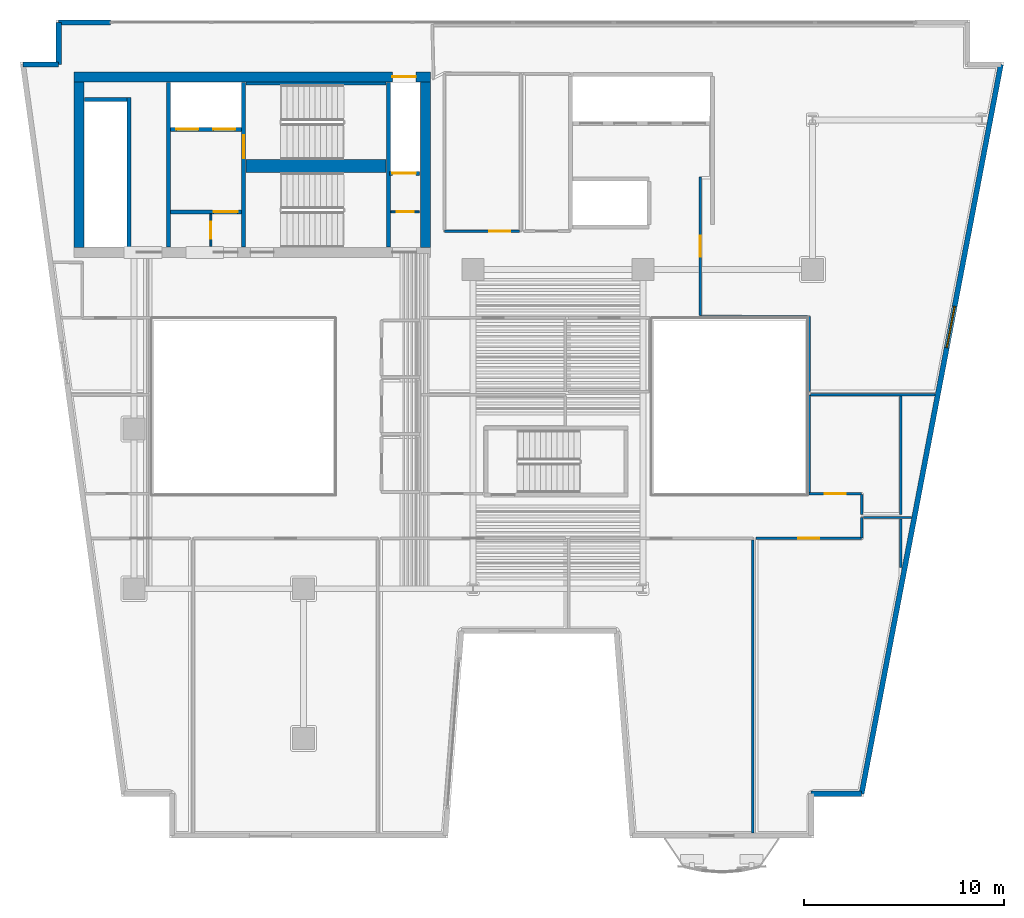
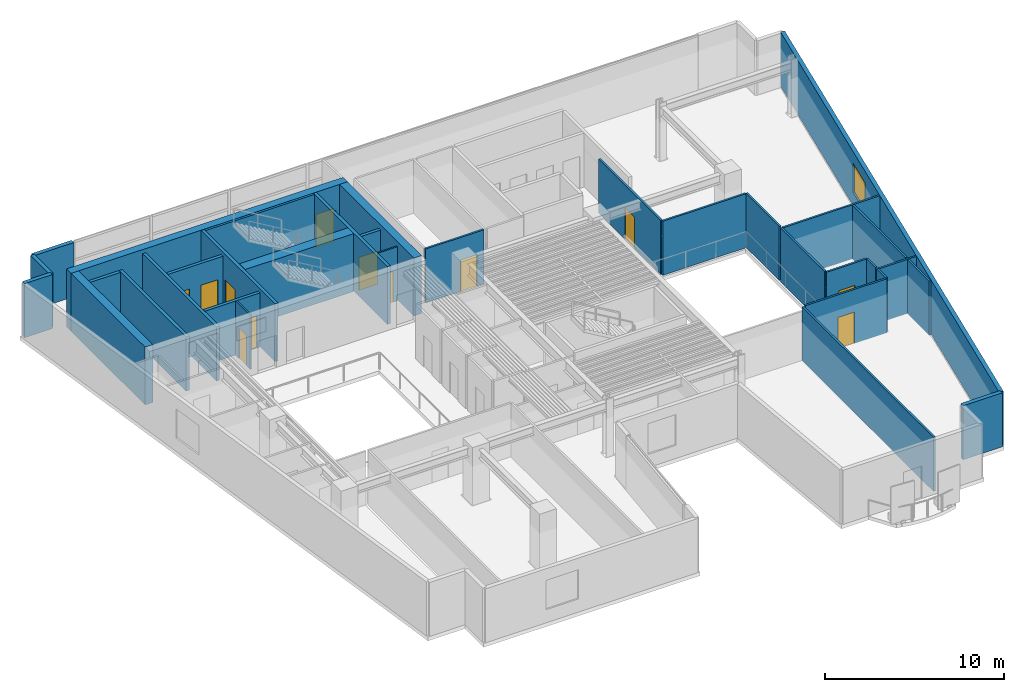
# One storey, part 7 of 13: 34 walls, 12 doors, 1 window, 13 openings.
"""IFC4 building model written with IfcOpenShell, lengths in metres."""

from ifc_helpers import new_model, si_unit, direction, frame, frame_2d, origin, place, context, subcontext, project, spatial, rectangle, extrude, material, layer, layer_set, type_object, element, fill, save


model = new_model("IFC4")

# Units and contexts
model_context = context("Model", 3, precision=1e-05, world=origin(), true_north=direction((0.0, 1.0)))
body_context = subcontext(model_context, "Body", "Model", "MODEL_VIEW")
ifc_project = project(units=[si_unit("LENGTHUNIT", "METRE"), si_unit("AREAUNIT", "SQUARE_METRE"), si_unit("VOLUMEUNIT", "CUBIC_METRE"), si_unit("PLANEANGLEUNIT", "RADIAN"), si_unit("MASSUNIT", "GRAM", prefix="KILO")], contexts=[model_context])

# Site, building, storey
site_placement = place(None, origin())
site = spatial("IfcSite", under=ifc_project, at=site_placement, CompositionType="ELEMENT")
building_placement = place(site_placement, origin())
building = spatial("IfcBuilding", under=site, at=building_placement, Name="Caeloran Harvest Quay", CompositionType="ELEMENT")
storey_placement = place(building_placement, frame((0.0, 0.0, 158.800048828125)))
storey = spatial("IfcBuildingStorey", under=building, at=storey_placement, Name="L37", CompositionType="ELEMENT", Elevation=158.800048828125)

# Walls
ifc_material_1 = material(Name="Precast concrete C50/60", Category="concrete")
ifc_layer_1 = layer(ifc_material_1, 0.260009765625, Name="Precast concrete C50/60")
ifc_layer_set_1 = layer_set([ifc_layer_1], Name="Precast concrete C50/60")
wall_type_1 = type_object("IfcWallType", Name="ENV-WALL-EW-260", PredefinedType="STANDARD", material=ifc_layer_set_1)
wall_1_placement = place(storey_placement, frame((2.939697265625, 41.27001953125, 0.0), z_axis=(0.0, 0.0, 1.0), x_axis=(1.0, 0.0, 0.0)))
element("IfcWall", 1, at=wall_1_placement, inside=storey, type_object=wall_type_1, Name="L37 Exterior Precast Concrete Facade Wall 4", PredefinedType="STANDARD", context=body_context, shape_type="SweptSolid", body=[
    extrude(rectangle(XDim=1.790283203125, YDim=0.260009765625, at=frame_2d((0.89501953125, 0.0))), origin(), (0.0, 0.0, 1.0), 3.68994140625),
])
wall_2_placement = place(storey_placement, frame((4.72998046875, 41.27001953125, 0.0), z_axis=(0.0, 0.0, 1.0), x_axis=(0.0, 1.0, 0.0)))
element("IfcWall", 2, at=wall_2_placement, inside=storey, type_object=wall_type_1, Name="L37 Exterior Precast Concrete Facade Wall 5", PredefinedType="STANDARD", context=body_context, shape_type="SweptSolid", body=[
    extrude(rectangle(XDim=2.10009765625, YDim=0.260009765625, at=frame_2d((1.050048828125, 0.0))), origin(), (0.0, 0.0, 1.0), 3.68994140625),
])
wall_3_placement = place(storey_placement, frame((4.72998046875, 43.3701171875, 0.0), z_axis=(0.0, 0.0, 1.0), x_axis=(1.0, 0.0, 0.0)))
element("IfcWall", 3, at=wall_3_placement, inside=storey, type_object=wall_type_1, Name="L37 Exterior Facade Corner Pier Wall 6A", PredefinedType="STANDARD", context=body_context, shape_type="SweptSolid", body=[
    extrude(rectangle(XDim=2.60009765625, YDim=0.260009765625, at=frame_2d((1.300048828125, 0.0))), origin(), (0.0, 0.0, 1.0), 3.68994140625),
])

# Wall, opening, window
wall_4_placement = place(storey_placement, frame((51.94189453125, 41.27001953125, 0.0), z_axis=(0.0, 0.0, 1.0), x_axis=(-0.187592192405, -0.982247000173, 0.0)))
wall_4 = element("IfcWall", 4, at=wall_4_placement, inside=storey, type_object=wall_type_1, Name="L37 Exterior Precast Concrete Facade Wall 9", PredefinedType="STANDARD", context=body_context, shape_type="SweptSolid", body=[
    extrude(rectangle(XDim=37.200439453125, YDim=0.260009765625, at=frame_2d((18.60009765625, 0.0))), origin(), (0.0, 0.0, 1.0), 3.68994140625),
])
opening_1_placement = place(wall_4_placement, frame((12.342041015625, 0.0, 0.89990234375)))
opening_1 = element("IfcOpeningElement", 5, at=opening_1_placement, cuts=wall_4, Name="Opening W-06", PredefinedType="OPENING", context=body_context, shape_type="SweptSolid", body=[
    extrude(rectangle(XDim=2.10009765625, YDim=2.0, at=frame_2d((1.050048828125, 1.0))), frame((0.0, 0.14013671875, 0.0), z_axis=(0.0, -1.0, 0.0), x_axis=(1.0, 0.0, 0.0)), (0.0, 0.0, 1.0), 0.280029296875),
])
ifc_material_2 = material(Name="Aluminium-Framed Low-E Laminated Glass", Category="aluminium")
window_type = type_object("IfcWindowType", Name="WIN-W-06", PartitioningType="DOUBLE_PANEL_VERTICAL", PredefinedType="WINDOW", material=ifc_material_2)
window_placement = place(opening_1_placement, origin())
window = element("IfcWindow", 6, at=window_placement, inside=storey, type_object=window_type, Name="L37 Facade Punched Window W-06", OverallHeight=2.0, OverallWidth=2.10009765625, PartitioningType="DOUBLE_PANEL_VERTICAL", PredefinedType="WINDOW", context=body_context, shape_type="SweptSolid", body=[
    extrude(rectangle(XDim=2.10009765625, YDim=2.0, at=frame_2d((1.050048828125, 1.0))), frame((0.0, 0.030029296875, 0.0), z_axis=(0.0, -1.0, 0.0), x_axis=(1.0, 0.0, 0.0)), (0.0, 0.0, 1.0), 0.06005859375),
])
fill(opening_1, window)

# Wall
wall_5_placement = place(storey_placement, frame((44.96337890625, 4.72998046875, 0.0), z_axis=(0.0, 0.0, 1.0), x_axis=(-1.0, 0.0, 0.0)))
element("IfcWall", 7, at=wall_5_placement, inside=storey, type_object=wall_type_1, Name="L37 Exterior Precast Concrete Facade Wall 10", PredefinedType="STANDARD", context=body_context, shape_type="SweptSolid", body=[
    extrude(rectangle(XDim=2.5234375, YDim=0.260009765625, at=frame_2d((1.26171875, 0.0))), origin(), (0.0, 0.0, 1.0), 3.68994140625),
])

# Wall, opening, door
ifc_material_3 = material(Name="Fire-Resisting Gypsum Core Riser Partition", Category="gypsum")
ifc_layer_2 = layer(ifc_material_3, 0.10009765625, Name="Fire-Resisting Gypsum Core Riser Partition")
ifc_layer_set_2 = layer_set([ifc_layer_2], Name="Fire-Resisting Gypsum Core Riser Partition")
wall_type_2 = type_object("IfcWallType", Name="INT-WALL-PW-100", PredefinedType="PARTITIONING", material=ifc_layer_set_2)
wall_6_placement = place(storey_placement, frame((12.360107421875, 32.159912109375, 0.0), z_axis=(0.0, 0.0, 1.0), x_axis=(0.0, 1.0, 0.0)))
wall_6 = element("IfcWall", 8, at=wall_6_placement, inside=storey, type_object=wall_type_2, Name="L37 Core Store Partition Wall", PredefinedType="PARTITIONING", context=body_context, shape_type="SweptSolid", body=[
    extrude(rectangle(XDim=1.6201171875, YDim=0.10009765625, at=frame_2d((0.81005859375, 0.0))), origin(), (0.0, 0.0, 1.0), 3.68994140625),
])
opening_2_placement = place(wall_6_placement, frame((0.3798828125, 0.0, 0.0)))
opening_2 = element("IfcOpeningElement", 9, at=opening_2_placement, cuts=wall_6, Name="Opening SV-01", PredefinedType="OPENING", context=body_context, shape_type="SweptSolid", body=[
    extrude(rectangle(XDim=0.85009765625, YDim=2.10009765625, at=frame_2d((0.425048828125, 1.050048828125))), frame((0.0, 0.06005859375, 0.0), z_axis=(0.0, -1.0, 0.0), x_axis=(1.0, 0.0, 0.0)), (0.0, 0.0, 1.0), 0.1201171875),
])
ifc_material_4 = material(Name="Galvanized Painted Steel", Category="steel")
door_type_1 = type_object("IfcDoorType", Name="INTDOOR-SV-01", OperationType="NOTDEFINED", PredefinedType="DOOR", material=ifc_material_4)
door_1_placement = place(opening_2_placement, origin())
door_1 = element("IfcDoor", 10, at=door_1_placement, inside=storey, type_object=door_type_1, Name="L37 Core Service Room Access Door", OperationType="SINGLE_SWING_LEFT", OverallHeight=2.10009765625, OverallWidth=0.85009765625, PredefinedType="DOOR", context=body_context, shape_type="SweptSolid", body=[
    extrude(rectangle(XDim=0.85009765625, YDim=2.10009765625, at=frame_2d((0.425048828125, 1.050048828125))), frame((0.0, 0.02490234375, 0.0), z_axis=(0.0, -1.0, 0.0), x_axis=(1.0, 0.0, 0.0)), (0.0, 0.0, 1.0), 0.050048828125),
])
fill(opening_2, door_1)

wall_7_placement = place(storey_placement, frame((21.3798828125, 33.889892578125, 0.0), z_axis=(0.0, 0.0, 1.0), x_axis=(1.0, 0.0, 0.0)))
wall_7 = element("IfcWall", 11, at=wall_7_placement, inside=storey, type_object=wall_type_2, Name="L37 Cleaner Store Partition Wall", PredefinedType="PARTITIONING", context=body_context, shape_type="SweptSolid", body=[
    extrude(rectangle(XDim=1.420166015625, YDim=0.10009765625, at=frame_2d((0.7099609375, 0.0))), origin(), (0.0, 0.0, 1.0), 3.68994140625),
])
opening_3_placement = place(wall_7_placement, frame((0.280029296875, 0.0, 0.0)))
opening_3 = element("IfcOpeningElement", 12, at=opening_3_placement, cuts=wall_7, Name="Opening SV-01", PredefinedType="OPENING", context=body_context, shape_type="SweptSolid", body=[
    extrude(rectangle(XDim=0.85009765625, YDim=2.10009765625, at=frame_2d((0.425048828125, 1.050048828125))), frame((0.0, 0.06005859375, 0.0), z_axis=(0.0, -1.0, 0.0), x_axis=(1.0, 0.0, 0.0)), (0.0, 0.0, 1.0), 0.1201171875),
])
door_2_placement = place(opening_3_placement, origin())
door_2 = element("IfcDoor", 13, at=door_2_placement, inside=storey, type_object=door_type_1, Name="L37 Cleaner Supply Store Access Door", OperationType="SINGLE_SWING_RIGHT", OverallHeight=2.10009765625, OverallWidth=0.85009765625, PredefinedType="DOOR", context=body_context, shape_type="SweptSolid", body=[
    extrude(rectangle(XDim=0.85009765625, YDim=2.10009765625, at=frame_2d((0.425048828125, 1.050048828125))), frame((0.0, 0.02490234375, 0.0), z_axis=(0.0, -1.0, 0.0), x_axis=(1.0, 0.0, 0.0)), (0.0, 0.0, 1.0), 0.050048828125),
])
fill(opening_3, door_2)

ifc_material_5 = material(Name="Twin-Stud Mineral-Wool Acoustic Gypsum Partition", Category="gypsum")
ifc_layer_3 = layer(ifc_material_5, 0.125, Name="Twin-Stud Mineral-Wool Acoustic Gypsum Partition")
ifc_layer_set_3 = layer_set([ifc_layer_3], Name="Twin-Stud Mineral-Wool Acoustic Gypsum Partition")
wall_type_3 = type_object("IfcWallType", Name="INT-WALL-PW-125", PredefinedType="PARTITIONING", material=ifc_layer_set_3)
wall_8_placement = place(storey_placement, frame((27.8125, 32.919921875, 0.0), z_axis=(0.0, 0.0, 1.0), x_axis=(-1.0, 0.0, 0.0)))
wall_8 = element("IfcWall", 14, at=wall_8_placement, inside=storey, type_object=wall_type_3, Name="L37 Crop Phenotyping West Laboratory Partition Wall", PredefinedType="PARTITIONING", context=body_context, shape_type="SweptSolid", body=[
    extrude(rectangle(XDim=3.762451171875, YDim=0.125, at=frame_2d((1.88134765625, 0.0))), origin(), (0.0, 0.0, 1.0), 3.68994140625),
])
opening_4_placement = place(wall_8_placement, frame((0.466064453125, 0.0, 0.0)))
opening_4 = element("IfcOpeningElement", 15, at=opening_4_placement, cuts=wall_8, Name="Opening ID-03", PredefinedType="OPENING", context=body_context, shape_type="SweptSolid", body=[
    extrude(rectangle(XDim=1.050048828125, YDim=2.14990234375, at=frame_2d((0.52490234375, 1.074951171875))), frame((0.0, 0.072509765625, 0.0), z_axis=(0.0, -1.0, 0.0), x_axis=(1.0, 0.0, 0.0)), (0.0, 0.0, 1.0), 0.14501953125),
])
ifc_material_6 = material(Name="FSC Solid-Core Oak Timber Leaf", Category="wood")
door_type_2 = type_object("IfcDoorType", Name="INTDOOR-ID-03", OperationType="NOTDEFINED", PredefinedType="DOOR", material=ifc_material_6)
door_3_placement = place(opening_4_placement, origin())
door_3 = element("IfcDoor", 16, at=door_3_placement, inside=storey, type_object=door_type_2, Name="L37 Crop Phenotyping West Laboratory Access Door", OperationType="SINGLE_SWING_RIGHT", OverallHeight=2.14990234375, OverallWidth=1.050048828125, PredefinedType="DOOR", context=body_context, shape_type="SweptSolid", body=[
    extrude(rectangle(XDim=1.050048828125, YDim=2.14990234375, at=frame_2d((0.52490234375, 1.074951171875))), frame((0.0, 0.02490234375, 0.0), z_axis=(0.0, -1.0, 0.0), x_axis=(1.0, 0.0, 0.0)), (0.0, 0.0, 1.0), 0.050048828125),
])
fill(opening_4, door_3)

# Walls
wall_9_placement = place(storey_placement, frame((39.52001953125, 17.452392578125, 0.0), z_axis=(0.0, 0.0, 1.0), x_axis=(0.0, -1.0, 0.0)))
element("IfcWall", 17, at=wall_9_placement, inside=storey, type_object=wall_type_3, Name="Carbon Credit Seminar Room Partition Wall", PredefinedType="PARTITIONING", context=body_context, shape_type="SweptSolid", body=[
    extrude(rectangle(XDim=14.6875, YDim=0.125, at=frame_2d((7.34375, 0.0))), origin(), (0.0, 0.0, 1.0), 3.68994140625),
])
wall_10_placement = place(storey_placement, frame((44.97998046875, 17.550048828125, 0.0), z_axis=(0.0, 0.0, 1.0), x_axis=(0.0, 1.0, 0.0)))
element("IfcWall", 18, at=wall_10_placement, inside=storey, type_object=wall_type_3, Name="Commodities Briefing Boardroom Partition Wall", PredefinedType="PARTITIONING", context=body_context, shape_type="SweptSolid", body=[
    extrude(rectangle(XDim=1.02001953125, YDim=0.125, at=frame_2d((0.510009765625, 0.0))), origin(), (0.0, 0.0, 1.0), 3.68994140625),
])
wall_11_placement = place(storey_placement, frame((45.047607421875, 18.570068359375, 0.0), z_axis=(0.0, 0.0, 1.0), x_axis=(1.0, 0.0, 0.0)))
element("IfcWall", 19, at=wall_11_placement, inside=storey, type_object=wall_type_3, Name="Commodities Briefing Boardroom Partition Wall", PredefinedType="PARTITIONING", context=body_context, shape_type="SweptSolid", body=[
    extrude(rectangle(XDim=2.421630859375, YDim=0.125, at=frame_2d((1.2109375, 0.0))), origin(), (0.0, 0.0, 1.0), 3.68994140625),
])
wall_12_placement = place(storey_placement, frame((46.919921875, 18.50244140625, 0.0), z_axis=(0.0, 0.0, 1.0), x_axis=(0.0, -1.0, 0.0)))
element("IfcWall", 20, at=wall_12_placement, inside=storey, type_object=wall_type_3, Name="Commodities Briefing Boardroom Partition Wall", PredefinedType="PARTITIONING", context=body_context, shape_type="SweptSolid", body=[
    extrude(rectangle(XDim=2.4375, YDim=0.125, at=frame_2d((1.21875, 0.0))), origin(), (0.0, 0.0, 1.0), 3.68994140625),
])

# Wall, opening, door
wall_13_placement = place(storey_placement, frame((39.679931640625, 17.52001953125, 0.0), z_axis=(0.0, 0.0, 1.0), x_axis=(1.0, 0.0, 0.0)))
wall_13 = element("IfcWall", 21, at=wall_13_placement, inside=storey, type_object=wall_type_3, Name="Commodities Briefing Boardroom Partition Wall", PredefinedType="PARTITIONING", context=body_context, shape_type="SweptSolid", body=[
    extrude(rectangle(XDim=5.27001953125, YDim=0.125, at=frame_2d((2.635009765625, 0.0))), origin(), (0.0, 0.0, 1.0), 3.68994140625),
])
opening_5_placement = place(wall_13_placement, frame((2.110107421875, 0.0, 0.0)))
opening_5 = element("IfcOpeningElement", 22, at=opening_5_placement, cuts=wall_13, Name="Opening ID-03", PredefinedType="OPENING", context=body_context, shape_type="SweptSolid", body=[
    extrude(rectangle(XDim=1.050048828125, YDim=2.14990234375, at=frame_2d((0.52490234375, 1.074951171875))), frame((0.0, 0.072509765625, 0.0), z_axis=(0.0, -1.0, 0.0), x_axis=(1.0, 0.0, 0.0)), (0.0, 0.0, 1.0), 0.14501953125),
])
door_4_placement = place(opening_5_placement, origin())
door_4 = element("IfcDoor", 23, at=door_4_placement, inside=storey, type_object=door_type_2, Name="Commodities Briefing Boardroom Access Door", OperationType="SINGLE_SWING_LEFT", OverallHeight=2.14990234375, OverallWidth=1.050048828125, PredefinedType="DOOR", context=body_context, shape_type="SweptSolid", body=[
    extrude(rectangle(XDim=1.050048828125, YDim=2.14990234375, at=frame_2d((0.52490234375, 1.074951171875))), frame((0.0, 0.02490234375, 0.0), z_axis=(0.0, -1.0, 0.0), x_axis=(1.0, 0.0, 0.0)), (0.0, 0.0, 1.0), 0.050048828125),
])
fill(opening_5, door_4)

wall_14_placement = place(storey_placement, frame((44.949951171875, 19.75, 0.0), z_axis=(0.0, 0.0, 1.0), x_axis=(-1.0, 0.0, 0.0)))
wall_14 = element("IfcWall", 24, at=wall_14_placement, inside=storey, type_object=wall_type_3, Name="Satellite Archive Library Lounge Partition Wall", PredefinedType="PARTITIONING", context=body_context, shape_type="SweptSolid", body=[
    extrude(rectangle(XDim=2.619873046875, YDim=0.125, at=frame_2d((1.31005859375, 0.0))), origin(), (0.0, 0.0, 1.0), 3.68994140625),
])
opening_6_placement = place(wall_14_placement, frame((0.784912109375, 0.0, 0.0)))
opening_6 = element("IfcOpeningElement", 25, at=opening_6_placement, cuts=wall_14, Name="Opening ID-03", PredefinedType="OPENING", context=body_context, shape_type="SweptSolid", body=[
    extrude(rectangle(XDim=1.050048828125, YDim=2.14990234375, at=frame_2d((0.52490234375, 1.074951171875))), frame((0.0, 0.072509765625, 0.0), z_axis=(0.0, -1.0, 0.0), x_axis=(1.0, 0.0, 0.0)), (0.0, 0.0, 1.0), 0.14501953125),
])
door_5_placement = place(opening_6_placement, origin())
door_5 = element("IfcDoor", 26, at=door_5_placement, inside=storey, type_object=door_type_2, Name="Satellite Archive Library Lounge Access Door", OperationType="SINGLE_SWING_RIGHT", OverallHeight=2.14990234375, OverallWidth=1.050048828125, PredefinedType="DOOR", context=body_context, shape_type="SweptSolid", body=[
    extrude(rectangle(XDim=1.050048828125, YDim=2.14990234375, at=frame_2d((0.52490234375, 1.074951171875))), frame((0.0, 0.02490234375, 0.0), z_axis=(0.0, -1.0, 0.0), x_axis=(1.0, 0.0, 0.0)), (0.0, 0.0, 1.0), 0.050048828125),
])
fill(opening_6, door_5)

# Walls
wall_15_placement = place(storey_placement, frame((42.330078125, 19.8173828125, 0.0), z_axis=(0.0, 0.0, 1.0), x_axis=(0.0, 1.0, 0.0)))
element("IfcWall", 27, at=wall_15_placement, inside=storey, type_object=wall_type_3, Name="Satellite Archive Library Lounge Partition Wall", PredefinedType="PARTITIONING", context=body_context, shape_type="SweptSolid", body=[
    extrude(rectangle(XDim=4.902587890625, YDim=0.125, at=frame_2d((2.451171875, 0.0))), origin(), (0.0, 0.0, 1.0), 3.68994140625),
])
wall_16_placement = place(storey_placement, frame((42.3974609375, 24.719970703125, 0.0), z_axis=(0.0, 0.0, 1.0), x_axis=(1.0, 0.0, 0.0)))
element("IfcWall", 28, at=wall_16_placement, inside=storey, type_object=wall_type_3, Name="Satellite Archive Library Lounge Partition Wall", PredefinedType="PARTITIONING", context=body_context, shape_type="SweptSolid", body=[
    extrude(rectangle(XDim=6.246337890625, YDim=0.125, at=frame_2d((3.123046875, 0.0))), origin(), (0.0, 0.0, 1.0), 3.68994140625),
])
wall_17_placement = place(storey_placement, frame((46.919921875, 24.652587890625, 0.0), z_axis=(0.0, 0.0, 1.0), x_axis=(0.0, -1.0, 0.0)))
element("IfcWall", 29, at=wall_17_placement, inside=storey, type_object=wall_type_3, Name="Satellite Archive Library Lounge Partition Wall", PredefinedType="PARTITIONING", context=body_context, shape_type="SweptSolid", body=[
    extrude(rectangle(XDim=5.922607421875, YDim=0.125, at=frame_2d((2.96142578125, 0.0))), origin(), (0.0, 0.0, 1.0), 3.68994140625),
])
wall_18_placement = place(storey_placement, frame((44.97998046875, 18.72998046875, 0.0), z_axis=(0.0, 0.0, 1.0), x_axis=(0.0, 1.0, 0.0)))
element("IfcWall", 30, at=wall_18_placement, inside=storey, type_object=wall_type_3, Name="Satellite Archive Library Lounge Partition Wall", PredefinedType="PARTITIONING", context=body_context, shape_type="SweptSolid", body=[
    extrude(rectangle(XDim=0.989990234375, YDim=0.125, at=frame_2d((0.4951171875, 0.0))), origin(), (0.0, 0.0, 1.0), 3.68994140625),
])
wall_19_placement = place(storey_placement, frame((42.330078125, 24.8798828125, 0.0), z_axis=(0.0, 0.0, 1.0), x_axis=(0.0, 1.0, 0.0)))
element("IfcWall", 31, at=wall_19_placement, inside=storey, type_object=wall_type_3, Name="Hospitality Catering Kitchen 12 Partition Wall", PredefinedType="PARTITIONING", context=body_context, shape_type="SweptSolid", body=[
    extrude(rectangle(XDim=3.75, YDim=0.125, at=frame_2d((1.875, 0.0))), origin(), (0.0, 0.0, 1.0), 3.68994140625),
])
wall_20_placement = place(storey_placement, frame((42.262451171875, 28.6298828125, 0.0), z_axis=(0.0, 0.0, 1.0), x_axis=(-1.0, 0.0, 0.0)))
element("IfcWall", 32, at=wall_20_placement, inside=storey, type_object=wall_type_3, Name="Hospitality Catering Kitchen 12 Partition Wall", PredefinedType="PARTITIONING", context=body_context, shape_type="SweptSolid", body=[
    extrude(rectangle(XDim=5.382568359375, YDim=0.125, at=frame_2d((2.69140625, 0.0))), origin(), (0.0, 0.0, 1.0), 3.68994140625),
])

# Wall, opening, door
wall_21_placement = place(storey_placement, frame((36.8798828125, 28.697509765625, 0.0), z_axis=(0.0, 0.0, 1.0), x_axis=(0.0, 1.0, 0.0)))
wall_21 = element("IfcWall", 33, at=wall_21_placement, inside=storey, type_object=wall_type_3, Name="Hospitality Catering Kitchen 12 Partition Wall", PredefinedType="PARTITIONING", context=body_context, shape_type="SweptSolid", body=[
    extrude(rectangle(XDim=6.922607421875, YDim=0.125, at=frame_2d((3.46142578125, 0.0))), origin(), (0.0, 0.0, 1.0), 3.68994140625),
])
opening_7_placement = place(wall_21_placement, frame((2.936279296875, 0.0, 0.0)))
opening_7 = element("IfcOpeningElement", 34, at=opening_7_placement, cuts=wall_21, Name="Opening ID-03", PredefinedType="OPENING", context=body_context, shape_type="SweptSolid", body=[
    extrude(rectangle(XDim=1.050048828125, YDim=2.14990234375, at=frame_2d((0.52490234375, 1.074951171875))), frame((0.0, 0.072509765625, 0.0), z_axis=(0.0, -1.0, 0.0), x_axis=(1.0, 0.0, 0.0)), (0.0, 0.0, 1.0), 0.14501953125),
])
door_6_placement = place(opening_7_placement, origin())
door_6 = element("IfcDoor", 35, at=door_6_placement, inside=storey, type_object=door_type_2, Name="Hospitality Catering Kitchen 12 Access Door", OperationType="SINGLE_SWING_RIGHT", OverallHeight=2.14990234375, OverallWidth=1.050048828125, PredefinedType="DOOR", context=body_context, shape_type="SweptSolid", body=[
    extrude(rectangle(XDim=1.050048828125, YDim=2.14990234375, at=frame_2d((0.52490234375, 1.074951171875))), frame((0.0, 0.02490234375, 0.0), z_axis=(0.0, -1.0, 0.0), x_axis=(1.0, 0.0, 0.0)), (0.0, 0.0, 1.0), 0.050048828125),
])
fill(opening_7, door_6)

# Walls
ifc_material_7 = material(Name="Concrete C50/60", Category="concrete")
ifc_layer_4 = layer(ifc_material_7, 0.199951171875, Name="Concrete C50/60")
ifc_layer_set_4 = layer_set([ifc_layer_4], Name="Concrete C50/60")
wall_type_4 = type_object("IfcWallType", Name="INT-WALL-SW-200", PredefinedType="PARTITIONING", material=ifc_layer_set_4)
wall_22_placement = place(storey_placement, frame((8.260009765625, 32.1201171875, 0.0), z_axis=(0.0, 0.0, 1.0), x_axis=(0.0, 1.0, 0.0)))
element("IfcWall", 36, at=wall_22_placement, inside=storey, type_object=wall_type_4, Name="L37 Bank 3 Lift Shaft Wall", PredefinedType="PARTITIONING", context=body_context, shape_type="SweptSolid", body=[
    extrude(rectangle(XDim=7.5, YDim=0.199951171875, at=frame_2d((3.75, 0.0))), origin(), (0.0, 0.0, 1.0), 3.68994140625),
])
wall_23_placement = place(storey_placement, frame((6.02001953125, 39.52001953125, 0.0), z_axis=(0.0, 0.0, 1.0), x_axis=(1.0, 0.0, 0.0)))
element("IfcWall", 37, at=wall_23_placement, inside=storey, type_object=wall_type_4, Name="L37 Bank 3 Lift Shaft North End Wall", PredefinedType="PARTITIONING", context=body_context, shape_type="SweptSolid", body=[
    extrude(rectangle(XDim=2.119873046875, YDim=0.199951171875, at=frame_2d((1.06005859375, 0.0))), origin(), (0.0, 0.0, 1.0), 3.68994140625),
])
wall_24_placement = place(storey_placement, frame((10.219970703125, 32.1201171875, 0.0), z_axis=(0.0, 0.0, 1.0), x_axis=(0.0, 1.0, 0.0)))
element("IfcWall", 38, at=wall_24_placement, inside=storey, type_object=wall_type_4, Name="L37 Core Lobby Compartment Wall", PredefinedType="PARTITIONING", context=body_context, shape_type="SweptSolid", body=[
    extrude(rectangle(XDim=8.259765625, YDim=0.199951171875, at=frame_2d((4.1298828125, 0.0))), origin(), (0.0, 0.0, 1.0), 3.68994140625),
])

# Wall, openings, doors
wall_25_placement = place(storey_placement, frame((10.340087890625, 38.02001953125, 0.0), z_axis=(0.0, 0.0, 1.0), x_axis=(1.0, 0.0, 0.0)))
wall_25 = element("IfcWall", 39, at=wall_25_placement, inside=storey, type_object=wall_type_4, Name="L37 Firefighting Lift Shaft Wall", PredefinedType="PARTITIONING", context=body_context, shape_type="SweptSolid", body=[
    extrude(rectangle(XDim=3.539794921875, YDim=0.199951171875, at=frame_2d((1.77001953125, 0.0))), origin(), (0.0, 0.0, 1.0), 3.68994140625),
])
opening_8_placement = place(wall_25_placement, frame((0.284912109375, 0.0, 0.0)))
opening_8 = element("IfcOpeningElement", 40, at=opening_8_placement, cuts=wall_25, Name="Opening LD-01", PredefinedType="OPENING", context=body_context, shape_type="SweptSolid", body=[
    extrude(rectangle(XDim=1.10009765625, YDim=2.199951171875, at=frame_2d((0.550048828125, 1.10009765625))), frame((0.0, 0.10986328125, 0.0), z_axis=(0.0, -1.0, 0.0), x_axis=(1.0, 0.0, 0.0)), (0.0, 0.0, 1.0), 0.219970703125),
])
opening_9_placement = place(wall_25_placement, frame((2.135009765625, 0.0, 0.0)))
opening_9 = element("IfcOpeningElement", 41, at=opening_9_placement, cuts=wall_25, Name="Opening LD-01", PredefinedType="OPENING", context=body_context, shape_type="SweptSolid", body=[
    extrude(rectangle(XDim=1.10009765625, YDim=2.199951171875, at=frame_2d((0.550048828125, 1.10009765625))), frame((0.0, 0.10986328125, 0.0), z_axis=(0.0, -1.0, 0.0), x_axis=(1.0, 0.0, 0.0)), (0.0, 0.0, 1.0), 0.219970703125),
])
ifc_material_8 = material(Name="Stainless Steel Grade 316", Category="steel")
door_type_3 = type_object("IfcDoorType", Name="INTDOOR-LD-01", OperationType="NOTDEFINED", PredefinedType="DOOR", material=ifc_material_8)
door_7_placement = place(opening_8_placement, origin())
door_7 = element("IfcDoor", 42, at=door_7_placement, inside=storey, type_object=door_type_3, Name="Lift FF-1 Sliding Landing Door (L37)", OperationType="DOUBLE_DOOR_SLIDING", OverallHeight=2.199951171875, OverallWidth=1.10009765625, PredefinedType="DOOR", context=body_context, shape_type="SweptSolid", body=[
    extrude(rectangle(XDim=1.10009765625, YDim=2.199951171875, at=frame_2d((0.550048828125, 1.10009765625))), frame((0.0, 0.02490234375, 0.0), z_axis=(0.0, -1.0, 0.0), x_axis=(1.0, 0.0, 0.0)), (0.0, 0.0, 1.0), 0.050048828125),
])
fill(opening_8, door_7)
door_8_placement = place(opening_9_placement, origin())
door_8 = element("IfcDoor", 43, at=door_8_placement, inside=storey, type_object=door_type_3, Name="Lift FF-2 Sliding Landing Door (L37)", OperationType="DOUBLE_DOOR_SLIDING", OverallHeight=2.199951171875, OverallWidth=1.10009765625, PredefinedType="DOOR", context=body_context, shape_type="SweptSolid", body=[
    extrude(rectangle(XDim=1.10009765625, YDim=2.199951171875, at=frame_2d((0.550048828125, 1.10009765625))), frame((0.0, 0.02490234375, 0.0), z_axis=(0.0, -1.0, 0.0), x_axis=(1.0, 0.0, 0.0)), (0.0, 0.0, 1.0), 0.050048828125),
])
fill(opening_9, door_8)

# Wall, opening, door
wall_26_placement = place(storey_placement, frame((10.340087890625, 33.8798828125, 0.0), z_axis=(0.0, 0.0, 1.0), x_axis=(1.0, 0.0, 0.0)))
wall_26 = element("IfcWall", 44, at=wall_26_placement, inside=storey, type_object=wall_type_4, Name="L37 Firefighting Lift Lobby Enclosure Wall", PredefinedType="PARTITIONING", context=body_context, shape_type="SweptSolid", body=[
    extrude(rectangle(XDim=3.559814453125, YDim=0.199951171875, at=frame_2d((1.77978515625, 0.0))), origin(), (0.0, 0.0, 1.0), 3.68994140625),
])
opening_10_placement = place(wall_26_placement, frame((2.14990234375, 0.0, 0.0)))
opening_10 = element("IfcOpeningElement", 45, at=opening_10_placement, cuts=wall_26, Name="Opening FD-01", PredefinedType="OPENING", context=body_context, shape_type="SweptSolid", body=[
    extrude(rectangle(XDim=1.199951171875, YDim=2.199951171875, at=frame_2d((0.60009765625, 1.10009765625))), frame((0.0, 0.10986328125, 0.0), z_axis=(0.0, -1.0, 0.0), x_axis=(1.0, 0.0, 0.0)), (0.0, 0.0, 1.0), 0.219970703125),
])
ifc_material_9 = material(Name="Steel", Category="steel")
door_type_4 = type_object("IfcDoorType", Name="INTDOOR-FD-01", OperationType="NOTDEFINED", PredefinedType="DOOR", material=ifc_material_9)
door_9_placement = place(opening_10_placement, origin())
door_9 = element("IfcDoor", 46, at=door_9_placement, inside=storey, type_object=door_type_4, Name="L37 Firefighting Lift Lobby Smoke-Seal Fire Door", OperationType="SINGLE_SWING_LEFT", OverallHeight=2.199951171875, OverallWidth=1.199951171875, PredefinedType="DOOR", context=body_context, shape_type="SweptSolid", body=[
    extrude(rectangle(XDim=1.199951171875, YDim=2.199951171875, at=frame_2d((0.60009765625, 1.10009765625))), frame((0.0, 0.02490234375, 0.0), z_axis=(0.0, -1.0, 0.0), x_axis=(1.0, 0.0, 0.0)), (0.0, 0.0, 1.0), 0.050048828125),
])
fill(opening_10, door_9)

wall_27_placement = place(storey_placement, frame((21.300048828125, 35.820068359375, 0.0), z_axis=(0.0, 0.0, 1.0), x_axis=(1.0, 0.0, 0.0)))
wall_27 = element("IfcWall", 47, at=wall_27_placement, inside=storey, type_object=wall_type_4, Name="L37 Service Lift SV-2 Shaft Wall", PredefinedType="PARTITIONING", context=body_context, shape_type="SweptSolid", body=[
    extrude(rectangle(XDim=1.5, YDim=0.199951171875, at=frame_2d((0.75, 0.0))), origin(), (0.0, 0.0, 1.0), 3.68994140625),
])
opening_11_placement = place(wall_27_placement, frame((0.14501953125, 0.0, 0.0)))
opening_11 = element("IfcOpeningElement", 48, at=opening_11_placement, cuts=wall_27, Name="Opening LD-02", PredefinedType="OPENING", context=body_context, shape_type="SweptSolid", body=[
    extrude(rectangle(XDim=1.179931640625, YDim=2.25, at=frame_2d((0.58984375, 1.125))), frame((0.0, 0.10986328125, 0.0), z_axis=(0.0, -1.0, 0.0), x_axis=(1.0, 0.0, 0.0)), (0.0, 0.0, 1.0), 0.219970703125),
])
door_type_5 = type_object("IfcDoorType", Name="INTDOOR-LD-02", OperationType="NOTDEFINED", PredefinedType="DOOR", material=ifc_material_8)
door_10_placement = place(opening_11_placement, origin())
door_10 = element("IfcDoor", 49, at=door_10_placement, inside=storey, type_object=door_type_5, Name="Lift SV-2 Sliding Landing Door (L37)", OperationType="DOUBLE_DOOR_SLIDING", OverallHeight=2.25, OverallWidth=1.179931640625, PredefinedType="DOOR", context=body_context, shape_type="SweptSolid", body=[
    extrude(rectangle(XDim=1.179931640625, YDim=2.25, at=frame_2d((0.58984375, 1.125))), frame((0.0, 0.02490234375, 0.0), z_axis=(0.0, -1.0, 0.0), x_axis=(1.0, 0.0, 0.0)), (0.0, 0.0, 1.0), 0.050048828125),
])
fill(opening_11, door_10)

ifc_material_10 = material(Name="Concrete C70/85", Category="concrete")
ifc_layer_5 = layer(ifc_material_10, 0.5, Name="Concrete C70/85")
ifc_layer_set_5 = layer_set([ifc_layer_5], Name="Concrete C70/85")
wall_type_5 = type_object("IfcWallType", Name="STR-WALL-CW-500", PredefinedType="SHEAR", material=ifc_layer_set_5)
wall_28_placement = place(storey_placement, frame((5.5, 40.64990234375, 0.0), z_axis=(0.0, 0.0, 1.0), x_axis=(1.0, 0.0, 0.0)))
wall_28 = element("IfcWall", 50, at=wall_28_placement, inside=storey, type_object=wall_type_5, Name="L37 Rear Core Shear Wall N", PredefinedType="SHEAR", context=body_context, shape_type="SweptSolid", body=[
    extrude(rectangle(XDim=17.85009765625, YDim=0.5, at=frame_2d((8.925048828125, 0.0))), origin(), (0.0, 0.0, 1.0), 3.949951171875),
])
opening_12_placement = place(wall_28_placement, frame((15.945068359375, 0.0, 0.0)))
opening_12 = element("IfcOpeningElement", 51, at=opening_12_placement, cuts=wall_28, Name="Opening LD-02", PredefinedType="OPENING", context=body_context, shape_type="SweptSolid", body=[
    extrude(rectangle(XDim=1.179931640625, YDim=2.25, at=frame_2d((0.58984375, 1.125))), frame((0.0, 0.260009765625, 0.0), z_axis=(0.0, -1.0, 0.0), x_axis=(1.0, 0.0, 0.0)), (0.0, 0.0, 1.0), 0.52001953125),
])
door_11_placement = place(opening_12_placement, origin())
door_11 = element("IfcDoor", 52, at=door_11_placement, inside=storey, type_object=door_type_5, Name="Lift SV-1 Sliding Landing Door (L37)", OperationType="DOUBLE_DOOR_SLIDING", OverallHeight=2.25, OverallWidth=1.179931640625, PredefinedType="DOOR", context=body_context, shape_type="SweptSolid", body=[
    extrude(rectangle(XDim=1.179931640625, YDim=2.25, at=frame_2d((0.58984375, 1.125))), frame((0.0, 0.02490234375, 0.0), z_axis=(0.0, -1.0, 0.0), x_axis=(1.0, 0.0, 0.0)), (0.0, 0.0, 1.0), 0.050048828125),
])
fill(opening_12, door_11)

# Walls
for number, where, z_axis, x_axis, name in (
    (53, (5.75, 32.10009765625, 0.0), (0.0, 0.0, 1.0), (0.0, 1.0, 0.0), "L37 Rear Core Shear Wall W"),
    (54, (23.10009765625, 32.10009765625, 0.0), (0.0, 0.0, 1.0), (0.0, 1.0, 0.0), "L37 Rear Core Shear Wall E"),
):
    element("IfcWall", number, at=place(storey_placement, frame(where, z_axis=z_axis, x_axis=x_axis)), inside=storey, type_object=wall_type_5, Name=name, PredefinedType="SHEAR", context=body_context, shape_type="SweptSolid", body=[
        extrude(rectangle(XDim=8.2998046875, YDim=0.5, at=frame_2d((4.14990234375, 0.0))), origin(), (0.0, 0.0, 1.0), 3.949951171875),
    ])
ifc_material_11 = material(Name="Concrete C60/75", Category="concrete")
ifc_layer_6 = layer(ifc_material_11, 0.64990234375, Name="Concrete C60/75")
ifc_layer_set_6 = layer_set([ifc_layer_6], Name="Concrete C60/75")
wall_type_6 = type_object("IfcWallType", Name="STR-WALL-CW-650", PredefinedType="SHEAR", material=ifc_layer_set_6)
wall_29_placement = place(storey_placement, frame((14.1201171875, 36.175048828125, 0.0), z_axis=(0.0, 0.0, 1.0), x_axis=(1.0, 0.0, 0.0)))
element("IfcWall", 55, at=wall_29_placement, inside=storey, type_object=wall_type_6, Name="L37 Core Stairs Dividing Shear Wall", PredefinedType="SHEAR", context=body_context, shape_type="SweptSolid", body=[
    extrude(rectangle(XDim=7.009765625, YDim=0.64990234375, at=frame_2d((3.5048828125, 0.0))), origin(), (0.0, 0.0, 1.0), 3.949951171875),
])
ifc_layer_7 = layer(ifc_material_11, 0.139892578125, Name="Concrete C60/75")
ifc_layer_set_7 = layer_set([ifc_layer_7], Name="Concrete C60/75")
wall_type_7 = type_object("IfcWallType", Name="STR-WALL-SW-140", PredefinedType="SHEAR", material=ifc_layer_set_7)
wall_30_placement = place(storey_placement, frame((14.1201171875, 40.320068359375, 0.0), z_axis=(0.0, 0.0, 1.0), x_axis=(1.0, 0.0, 0.0)))
element("IfcWall", 56, at=wall_30_placement, inside=storey, type_object=wall_type_7, Name="L37 Core Stair ST-C1 North Bearing Shear Wall", PredefinedType="SHEAR", context=body_context, shape_type="SweptSolid", body=[
    extrude(rectangle(XDim=7.009765625, YDim=0.139892578125, at=frame_2d((3.5048828125, 0.0))), origin(), (0.0, 0.0, 1.0), 3.949951171875),
])

# Wall, opening, door
ifc_layer_8 = layer(ifc_material_11, 0.199951171875, Name="Concrete C60/75")
ifc_layer_set_8 = layer_set([ifc_layer_8], Name="Concrete C60/75")
wall_type_8 = type_object("IfcWallType", Name="STR-WALL-SW-200", PredefinedType="SHEAR", material=ifc_layer_set_8)
wall_31_placement = place(storey_placement, frame((14.0, 32.1201171875, 0.0), z_axis=(0.0, 0.0, 1.0), x_axis=(0.0, 1.0, 0.0)))
wall_31 = element("IfcWall", 57, at=wall_31_placement, inside=storey, type_object=wall_type_8, Name="L37 Core Stair Shaft West Shear Wall", PredefinedType="SHEAR", context=body_context, shape_type="SweptSolid", body=[
    extrude(rectangle(XDim=8.259765625, YDim=0.199951171875, at=frame_2d((4.1298828125, 0.0))), origin(), (0.0, 0.0, 1.0), 3.949951171875),
])
opening_13_placement = place(wall_31_placement, frame((4.4599609375, 0.0, 0.0)))
opening_13 = element("IfcOpeningElement", 58, at=opening_13_placement, cuts=wall_31, Name="Opening SD-01", PredefinedType="OPENING", context=body_context, shape_type="SweptSolid", body=[
    extrude(rectangle(XDim=1.14990234375, YDim=2.199951171875, at=frame_2d((0.574951171875, 1.10009765625))), frame((0.0, 0.10986328125, 0.0), z_axis=(0.0, -1.0, 0.0), x_axis=(1.0, 0.0, 0.0)), (0.0, 0.0, 1.0), 0.219970703125),
])
door_type_6 = type_object("IfcDoorType", Name="INTDOOR-SD-01", OperationType="NOTDEFINED", PredefinedType="DOOR", material=ifc_material_9)
door_12_placement = place(opening_13_placement, origin())
door_12 = element("IfcDoor", 59, at=door_12_placement, inside=storey, type_object=door_type_6, Name="L37 Protected Stair ST-C1 Exit Door", OperationType="SINGLE_SWING_LEFT", OverallHeight=2.199951171875, OverallWidth=1.14990234375, PredefinedType="DOOR", context=body_context, shape_type="SweptSolid", body=[
    extrude(rectangle(XDim=1.14990234375, YDim=2.199951171875, at=frame_2d((0.574951171875, 1.10009765625))), frame((0.0, 0.02490234375, 0.0), z_axis=(0.0, -1.0, 0.0), x_axis=(1.0, 0.0, 0.0)), (0.0, 0.0, 1.0), 0.050048828125),
])
fill(opening_13, door_12)

# Wall
wall_32_placement = place(storey_placement, frame((21.25, 32.1201171875, 0.0), z_axis=(0.0, 0.0, 1.0), x_axis=(0.0, 1.0, 0.0)))
element("IfcWall", 60, at=wall_32_placement, inside=storey, type_object=wall_type_8, Name="L37 Core Stair Shaft East Shear Wall", PredefinedType="SHEAR", context=body_context, shape_type="SweptSolid", body=[
    extrude(rectangle(XDim=8.259765625, YDim=0.199951171875, at=frame_2d((4.1298828125, 0.0))), origin(), (0.0, 0.0, 1.0), 3.949951171875),
])

save(model, "model.ifc")
